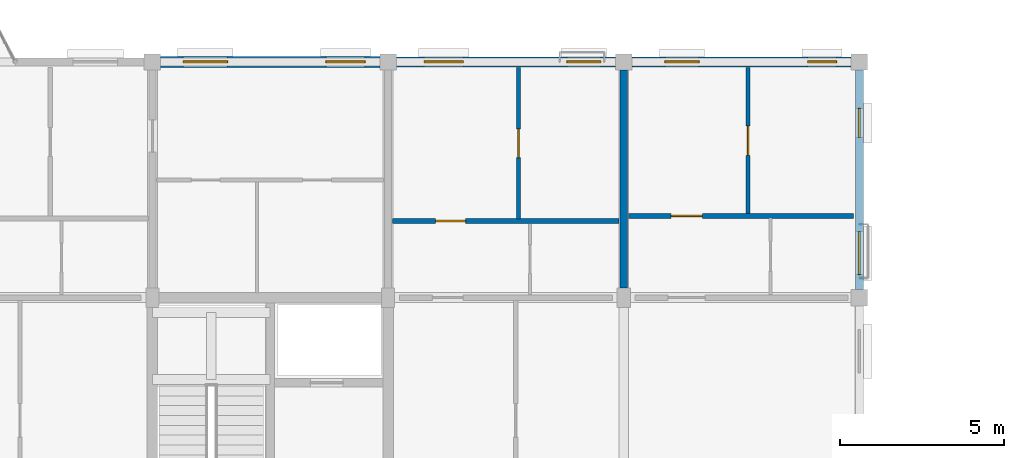
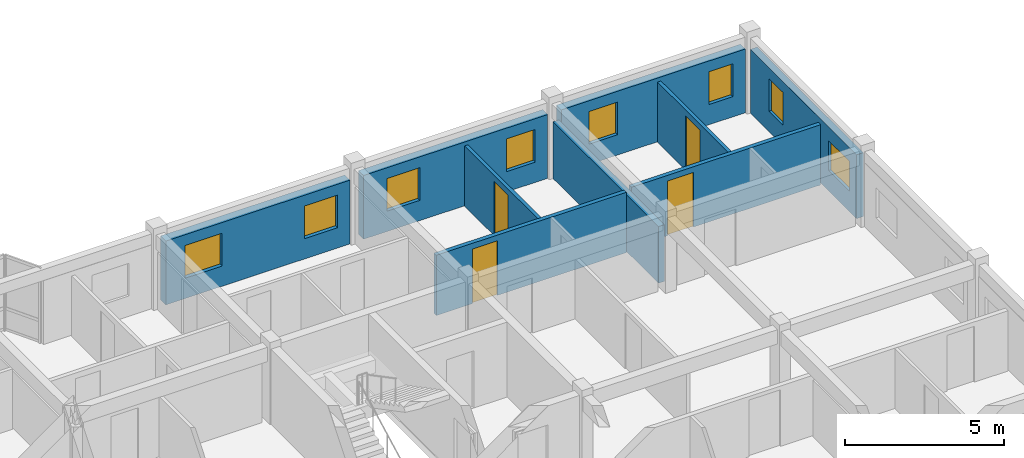
# One storey, part 31 of 38: 9 walls, 8 windows, 4 doors, 12 openings.
"""IFC4 building model written with IfcOpenShell, lengths in metres."""

from ifc_helpers import new_model, si_unit, direction, frame, frame_2d, origin, place, context, subcontext, project, spatial, rectangle, extrude, material, layer, layer_set, type_object, element, fill, save


model = new_model("IFC4")

# Units and contexts
model_context = context("Model", 3, precision=1e-05, world=origin(), true_north=direction((0.0, 1.0)))
body_context = subcontext(model_context, "Body", "Model", "MODEL_VIEW")
ifc_project = project(units=[si_unit("LENGTHUNIT", "METRE"), si_unit("AREAUNIT", "SQUARE_METRE"), si_unit("VOLUMEUNIT", "CUBIC_METRE"), si_unit("PLANEANGLEUNIT", "RADIAN"), si_unit("MASSUNIT", "GRAM", prefix="KILO"), si_unit("THERMODYNAMICTEMPERATUREUNIT", "KELVIN"), si_unit("POWERUNIT", "WATT")], contexts=[model_context])

# Site, building, storey
site_placement = place(None, origin())
site = spatial("IfcSite", under=ifc_project, at=site_placement, CompositionType="ELEMENT")
building_placement = place(site_placement, origin())
building = spatial("IfcBuilding", under=site, at=building_placement, Name="Tavuni Mirador Residences", CompositionType="ELEMENT")
storey_placement = place(building_placement, frame((0.0, 0.0, 32.85009765625)))
storey = spatial("IfcBuildingStorey", under=building, at=storey_placement, Name="L10", CompositionType="ELEMENT", Elevation=32.85009765625)

# Wall, openings, windows
ifc_material_1 = material(Name="Precast concrete C40/50", Category="concrete")
ifc_layer_1 = layer(ifc_material_1, 0.330078125, Name="Precast concrete C40/50", Category="concrete")
ifc_layer_set_1 = layer_set([ifc_layer_1], Name="Precast concrete C40/50")
wall_type_1 = type_object("IfcWallType", Name="WT-EXT-COR330", PredefinedType="SOLIDWALL", material=ifc_layer_set_1)
wall_1_placement = place(storey_placement, frame((46.550048828125, 172.800048828125, 0.0), z_axis=(0.0, 0.0, 1.0), x_axis=(-1.0, 0.0, 0.0)))
wall_1 = element("IfcWall", 1, at=wall_1_placement, inside=storey, type_object=wall_type_1, Name="EW-BLK-C-L10-N04", PredefinedType="SOLIDWALL", context=body_context, shape_type="SweptSolid", body=[
    extrude(rectangle(XDim=6.699951171875, YDim=0.330078125, at=frame_2d((3.35009765625, 0.0))), origin(), (0.0, 0.0, 1.0), 2.454833984375),
])
opening_1_placement = place(wall_1_placement, frame((0.449951171875, 0.0, 0.780029296875)))
opening_1 = element("IfcOpeningElement", 2, at=opening_1_placement, cuts=wall_1, Name="Opening WN-13", PredefinedType="OPENING", context=body_context, shape_type="SweptSolid", body=[
    extrude(rectangle(XDim=1.199951171875, YDim=1.260009765625, at=frame_2d((0.60009765625, 0.6298828125))), frame((0.0, 0.175048828125, 0.0), z_axis=(0.0, -1.0, 0.0), x_axis=(1.0, 0.0, 0.0)), (0.0, 0.0, 1.0), 0.35009765625),
])
opening_2_placement = place(wall_1_placement, frame((4.64990234375, 0.0, 0.780029296875)))
opening_2 = element("IfcOpeningElement", 3, at=opening_2_placement, cuts=wall_1, Name="Opening WN-15", PredefinedType="OPENING", context=body_context, shape_type="SweptSolid", body=[
    extrude(rectangle(XDim=1.360107421875, YDim=1.260009765625, at=frame_2d((0.68017578125, 0.6298828125))), frame((0.0, 0.175048828125, 0.0), z_axis=(0.0, -1.0, 0.0), x_axis=(1.0, 0.0, 0.0)), (0.0, 0.0, 1.0), 0.35009765625),
])
ifc_material_2 = material(Name="Laminated solar-control glass", Category="glass")
window_type_1 = type_object("IfcWindowType", Name="WNT-13", PartitioningType="SINGLE_PANEL", PredefinedType="WINDOW", material=ifc_material_2)
window_1_placement = place(opening_1_placement, origin())
window_1 = element("IfcWindow", 4, at=window_1_placement, inside=storey, type_object=window_type_1, Name="WIN-1292", OverallHeight=1.260009765625, OverallWidth=1.199951171875, PartitioningType="SINGLE_PANEL", PredefinedType="WINDOW", context=body_context, shape_type="SweptSolid", body=[
    extrude(rectangle(XDim=1.199951171875, YDim=1.260009765625, at=frame_2d((0.60009765625, 0.6298828125))), frame((0.0, 0.030029296875, 0.0), z_axis=(0.0, -1.0, 0.0), x_axis=(1.0, 0.0, 0.0)), (0.0, 0.0, 1.0), 0.06005859375),
])
fill(opening_1, window_1)
window_type_2 = type_object("IfcWindowType", Name="WNT-15", PartitioningType="SINGLE_PANEL", PredefinedType="WINDOW", material=ifc_material_2)
window_2_placement = place(opening_2_placement, origin())
window_2 = element("IfcWindow", 5, at=window_2_placement, inside=storey, type_object=window_type_2, Name="WIN-1293", OverallHeight=1.260009765625, OverallWidth=1.360107421875, PartitioningType="SINGLE_PANEL", PredefinedType="WINDOW", context=body_context, shape_type="SweptSolid", body=[
    extrude(rectangle(XDim=1.360107421875, YDim=1.260009765625, at=frame_2d((0.68017578125, 0.6298828125))), frame((0.0, 0.030029296875, 0.0), z_axis=(0.0, -1.0, 0.0), x_axis=(1.0, 0.0, 0.0)), (0.0, 0.0, 1.0), 0.06005859375),
])
fill(opening_2, window_2)

ifc_material_3 = material(Name="Sgraffito lime-rendered precast concrete C40/50", Category="concrete")
ifc_layer_2 = layer(ifc_material_3, 0.2451171875, Name="Sgraffito lime-rendered precast concrete C40/50", Category="concrete")
ifc_layer_set_2 = layer_set([ifc_layer_2], Name="Sgraffito lime-rendered precast concrete C40/50")
wall_type_2 = type_object("IfcWallType", Name="WT-EXT-PC245", PredefinedType="SOLIDWALL", material=ifc_layer_set_2)
wall_2_placement = place(storey_placement, frame((61.199951171875, 165.85009765625, 0.0), z_axis=(0.0, 0.0, 1.0), x_axis=(0.0, 1.0, 0.0)))
wall_2 = element("IfcWall", 6, at=wall_2_placement, inside=storey, type_object=wall_type_2, Name="EW-BLK-C-L10-E03", PredefinedType="SOLIDWALL", context=body_context, shape_type="SweptSolid", body=[
    extrude(rectangle(XDim=6.699951171875, YDim=0.2451171875, at=frame_2d((3.35009765625, 0.0))), origin(), (0.0, 0.0, 1.0), 2.454833984375),
])
opening_3_placement = place(wall_2_placement, frame((0.449951171875, 0.0, 0.780029296875)))
opening_3 = element("IfcOpeningElement", 7, at=opening_3_placement, cuts=wall_2, Name="Opening WN-07", PredefinedType="OPENING", context=body_context, shape_type="SweptSolid", body=[
    extrude(rectangle(XDim=1.320068359375, YDim=1.14990234375, at=frame_2d((0.66015625, 0.574951171875))), frame((0.0, 0.132568359375, 0.0), z_axis=(0.0, -1.0, 0.0), x_axis=(1.0, 0.0, 0.0)), (0.0, 0.0, 1.0), 0.26513671875),
])
opening_4_placement = place(wall_2_placement, frame((4.64990234375, 0.0, 0.780029296875)))
opening_4 = element("IfcOpeningElement", 8, at=opening_4_placement, cuts=wall_2, Name="Opening WN-09", PredefinedType="OPENING", context=body_context, shape_type="SweptSolid", body=[
    extrude(rectangle(XDim=0.8798828125, YDim=1.260009765625, at=frame_2d((0.43994140625, 0.6298828125))), frame((0.0, 0.132568359375, 0.0), z_axis=(0.0, -1.0, 0.0), x_axis=(1.0, 0.0, 0.0)), (0.0, 0.0, 1.0), 0.26513671875),
])
window_type_3 = type_object("IfcWindowType", Name="WNT-07", PartitioningType="SINGLE_PANEL", PredefinedType="WINDOW", material=ifc_material_2)
window_3_placement = place(opening_3_placement, origin())
window_3 = element("IfcWindow", 9, at=window_3_placement, inside=storey, type_object=window_type_3, Name="WIN-1286", OverallHeight=1.14990234375, OverallWidth=1.320068359375, PartitioningType="SINGLE_PANEL", PredefinedType="WINDOW", context=body_context, shape_type="SweptSolid", body=[
    extrude(rectangle(XDim=1.320068359375, YDim=1.14990234375, at=frame_2d((0.66015625, 0.574951171875))), frame((0.0, 0.030029296875, 0.0), z_axis=(0.0, -1.0, 0.0), x_axis=(1.0, 0.0, 0.0)), (0.0, 0.0, 1.0), 0.06005859375),
])
fill(opening_3, window_3)
window_type_4 = type_object("IfcWindowType", Name="WNT-09", PartitioningType="SINGLE_PANEL", PredefinedType="WINDOW", material=ifc_material_2)
window_4_placement = place(opening_4_placement, origin())
window_4 = element("IfcWindow", 10, at=window_4_placement, inside=storey, type_object=window_type_4, Name="WIN-1287", OverallHeight=1.260009765625, OverallWidth=0.8798828125, PartitioningType="SINGLE_PANEL", PredefinedType="WINDOW", context=body_context, shape_type="SweptSolid", body=[
    extrude(rectangle(XDim=0.8798828125, YDim=1.260009765625, at=frame_2d((0.43994140625, 0.6298828125))), frame((0.0, 0.030029296875, 0.0), z_axis=(0.0, -1.0, 0.0), x_axis=(1.0, 0.0, 0.0)), (0.0, 0.0, 1.0), 0.06005859375),
])
fill(opening_4, window_4)

ifc_layer_3 = layer(ifc_material_3, 0.304931640625, Name="Sgraffito lime-rendered precast concrete C40/50", Category="concrete")
ifc_layer_set_3 = layer_set([ifc_layer_3], Name="Sgraffito lime-rendered precast concrete C40/50")
wall_type_3 = type_object("IfcWallType", Name="WT-EXT-PC305", PredefinedType="SOLIDWALL", material=ifc_layer_set_3)
wall_3_placement = place(storey_placement, frame((60.949951171875, 172.800048828125, 0.0), z_axis=(0.0, 0.0, 1.0), x_axis=(-1.0, 0.0, 0.0)))
wall_3 = element("IfcWall", 11, at=wall_3_placement, inside=storey, type_object=wall_type_3, Name="EW-BLK-C-L10-N06", PredefinedType="SOLIDWALL", context=body_context, shape_type="SweptSolid", body=[
    extrude(rectangle(XDim=6.699951171875, YDim=0.304931640625, at=frame_2d((3.35009765625, 0.0))), origin(), (0.0, 0.0, 1.0), 2.454833984375),
])
opening_5_placement = place(wall_3_placement, frame((0.449951171875, 0.0, 0.780029296875)))
opening_5 = element("IfcOpeningElement", 12, at=opening_5_placement, cuts=wall_3, Name="Opening WN-09", PredefinedType="OPENING", context=body_context, shape_type="SweptSolid", body=[
    extrude(rectangle(XDim=0.8798828125, YDim=1.260009765625, at=frame_2d((0.43994140625, 0.6298828125))), frame((0.0, 0.16259765625, 0.0), z_axis=(0.0, -1.0, 0.0), x_axis=(1.0, 0.0, 0.0)), (0.0, 0.0, 1.0), 0.324951171875),
])
opening_6_placement = place(wall_3_placement, frame((4.64990234375, 0.0, 0.780029296875)))
opening_6 = element("IfcOpeningElement", 13, at=opening_6_placement, cuts=wall_3, Name="Opening WN-11", PredefinedType="OPENING", context=body_context, shape_type="SweptSolid", body=[
    extrude(rectangle(XDim=1.0400390625, YDim=1.260009765625, at=frame_2d((0.52001953125, 0.6298828125))), frame((0.0, 0.16259765625, 0.0), z_axis=(0.0, -1.0, 0.0), x_axis=(1.0, 0.0, 0.0)), (0.0, 0.0, 1.0), 0.324951171875),
])
window_5_placement = place(opening_5_placement, origin())
window_5 = element("IfcWindow", 14, at=window_5_placement, inside=storey, type_object=window_type_4, Name="WIN-1288", OverallHeight=1.260009765625, OverallWidth=0.8798828125, PartitioningType="SINGLE_PANEL", PredefinedType="WINDOW", context=body_context, shape_type="SweptSolid", body=[
    extrude(rectangle(XDim=0.8798828125, YDim=1.260009765625, at=frame_2d((0.43994140625, 0.6298828125))), frame((0.0, 0.030029296875, 0.0), z_axis=(0.0, -1.0, 0.0), x_axis=(1.0, 0.0, 0.0)), (0.0, 0.0, 1.0), 0.06005859375),
])
fill(opening_5, window_5)
window_type_5 = type_object("IfcWindowType", Name="WNT-11", PartitioningType="SINGLE_PANEL", PredefinedType="WINDOW", material=ifc_material_2)
window_6_placement = place(opening_6_placement, origin())
window_6 = element("IfcWindow", 15, at=window_6_placement, inside=storey, type_object=window_type_5, Name="WIN-1289", OverallHeight=1.260009765625, OverallWidth=1.0400390625, PartitioningType="SINGLE_PANEL", PredefinedType="WINDOW", context=body_context, shape_type="SweptSolid", body=[
    extrude(rectangle(XDim=1.0400390625, YDim=1.260009765625, at=frame_2d((0.52001953125, 0.6298828125))), frame((0.0, 0.030029296875, 0.0), z_axis=(0.0, -1.0, 0.0), x_axis=(1.0, 0.0, 0.0)), (0.0, 0.0, 1.0), 0.06005859375),
])
fill(opening_6, window_6)

ifc_layer_4 = layer(ifc_material_3, 0.31494140625, Name="Sgraffito lime-rendered precast concrete C40/50", Category="concrete")
ifc_layer_set_4 = layer_set([ifc_layer_4], Name="Sgraffito lime-rendered precast concrete C40/50")
wall_type_4 = type_object("IfcWallType", Name="WT-EXT-PC315", PredefinedType="SOLIDWALL", material=ifc_layer_set_4)
wall_4_placement = place(storey_placement, frame((53.75, 172.800048828125, 0.0), z_axis=(0.0, 0.0, 1.0), x_axis=(-1.0, 0.0, 0.0)))
wall_4 = element("IfcWall", 16, at=wall_4_placement, inside=storey, type_object=wall_type_4, Name="EW-BLK-C-L10-N05", PredefinedType="SOLIDWALL", context=body_context, shape_type="SweptSolid", body=[
    extrude(rectangle(XDim=6.699951171875, YDim=0.31494140625, at=frame_2d((3.35009765625, 0.0))), origin(), (0.0, 0.0, 1.0), 2.454833984375),
])
opening_7_placement = place(wall_4_placement, frame((0.449951171875, 0.0, 0.780029296875)))
opening_7 = element("IfcOpeningElement", 17, at=opening_7_placement, cuts=wall_4, Name="Opening WN-11", PredefinedType="OPENING", context=body_context, shape_type="SweptSolid", body=[
    extrude(rectangle(XDim=1.0400390625, YDim=1.260009765625, at=frame_2d((0.52001953125, 0.6298828125))), frame((0.0, 0.16748046875, 0.0), z_axis=(0.0, -1.0, 0.0), x_axis=(1.0, 0.0, 0.0)), (0.0, 0.0, 1.0), 0.3349609375),
])
opening_8_placement = place(wall_4_placement, frame((4.64990234375, 0.0, 0.780029296875)))
opening_8 = element("IfcOpeningElement", 18, at=opening_8_placement, cuts=wall_4, Name="Opening WN-13", PredefinedType="OPENING", context=body_context, shape_type="SweptSolid", body=[
    extrude(rectangle(XDim=1.199951171875, YDim=1.260009765625, at=frame_2d((0.60009765625, 0.6298828125))), frame((0.0, 0.16748046875, 0.0), z_axis=(0.0, -1.0, 0.0), x_axis=(1.0, 0.0, 0.0)), (0.0, 0.0, 1.0), 0.3349609375),
])
window_7_placement = place(opening_7_placement, origin())
window_7 = element("IfcWindow", 19, at=window_7_placement, inside=storey, type_object=window_type_5, Name="WIN-1290", OverallHeight=1.260009765625, OverallWidth=1.0400390625, PartitioningType="SINGLE_PANEL", PredefinedType="WINDOW", context=body_context, shape_type="SweptSolid", body=[
    extrude(rectangle(XDim=1.0400390625, YDim=1.260009765625, at=frame_2d((0.52001953125, 0.6298828125))), frame((0.0, 0.030029296875, 0.0), z_axis=(0.0, -1.0, 0.0), x_axis=(1.0, 0.0, 0.0)), (0.0, 0.0, 1.0), 0.06005859375),
])
fill(opening_7, window_7)
window_8_placement = place(opening_8_placement, origin())
window_8 = element("IfcWindow", 20, at=window_8_placement, inside=storey, type_object=window_type_1, Name="WIN-1291", OverallHeight=1.260009765625, OverallWidth=1.199951171875, PartitioningType="SINGLE_PANEL", PredefinedType="WINDOW", context=body_context, shape_type="SweptSolid", body=[
    extrude(rectangle(XDim=1.199951171875, YDim=1.260009765625, at=frame_2d((0.60009765625, 0.6298828125))), frame((0.0, 0.030029296875, 0.0), z_axis=(0.0, -1.0, 0.0), x_axis=(1.0, 0.0, 0.0)), (0.0, 0.0, 1.0), 0.06005859375),
])
fill(opening_8, window_8)

# Wall, opening, door
ifc_material_4 = material(Name="Acoustic gypsum and concrete block partition", Category="concrete")
ifc_layer_5 = layer(ifc_material_4, 0.125, Name="Acoustic gypsum and concrete block partition", Category="concrete")
ifc_layer_set_5 = layer_set([ifc_layer_5], Name="Acoustic gypsum and concrete block partition")
wall_type_5 = type_object("IfcWallType", Name="WT-PART125", PredefinedType="PARTITIONING", material=ifc_layer_set_5)
wall_5_placement = place(storey_placement, frame((50.780029296875, 168.010009765625, 0.0), z_axis=(0.0, 0.0, 1.0), x_axis=(0.0, 1.0, 0.0)))
wall_5 = element("IfcWall", 21, at=wall_5_placement, inside=storey, type_object=wall_type_5, Name="PW-BLK-C-L10-N05-OUT", PredefinedType="PARTITIONING", context=body_context, shape_type="SweptSolid", body=[
    extrude(rectangle(XDim=4.614990234375, YDim=0.125, at=frame_2d((2.3076171875, 0.0))), origin(), (0.0, 0.0, 1.0), 2.31982421875),
])
opening_9_placement = place(wall_5_placement, frame((1.867431640625, 0.0, 0.0)))
opening_9 = element("IfcOpeningElement", 22, at=opening_9_placement, cuts=wall_5, Name="Opening D-08", PredefinedType="OPENING", context=body_context, shape_type="SweptSolid", body=[
    extrude(rectangle(XDim=0.8798828125, YDim=2.080078125, at=frame_2d((0.43994140625, 1.0400390625))), frame((0.0, 0.072509765625, 0.0), z_axis=(0.0, -1.0, 0.0), x_axis=(1.0, 0.0, 0.0)), (0.0, 0.0, 1.0), 0.14501953125),
])
ifc_material_5 = material(Name="Solid core iroko timber", Category="wood")
door_type_1 = type_object("IfcDoorType", Name="DT-BED880", OperationType="NOTDEFINED", PredefinedType="DOOR", material=ifc_material_5)
door_1_placement = place(opening_9_placement, origin())
door_1 = element("IfcDoor", 23, at=door_1_placement, inside=storey, type_object=door_type_1, Name="DR-4189", OperationType="SINGLE_SWING_LEFT", OverallHeight=2.080078125, OverallWidth=0.8798828125, PredefinedType="DOOR", context=body_context, shape_type="SweptSolid", body=[
    extrude(rectangle(XDim=0.8798828125, YDim=2.080078125, at=frame_2d((0.43994140625, 1.0400390625))), frame((0.0, 0.02490234375, 0.0), z_axis=(0.0, -1.0, 0.0), x_axis=(1.0, 0.0, 0.0)), (0.0, 0.0, 1.0), 0.050048828125),
])
fill(opening_9, door_1)

wall_6_placement = place(storey_placement, frame((57.800048828125, 168.169921875, 0.0), z_axis=(0.0, 0.0, 1.0), x_axis=(0.0, 1.0, 0.0)))
wall_6 = element("IfcWall", 24, at=wall_6_placement, inside=storey, type_object=wall_type_5, Name="PW-BLK-C-L10-N06-OUT", PredefinedType="PARTITIONING", context=body_context, shape_type="SweptSolid", body=[
    extrude(rectangle(XDim=4.455078125, YDim=0.125, at=frame_2d((2.2275390625, 0.0))), origin(), (0.0, 0.0, 1.0), 2.31982421875),
])
opening_10_placement = place(wall_6_placement, frame((1.777587890625, 0.0, 0.0)))
opening_10 = element("IfcOpeningElement", 25, at=opening_10_placement, cuts=wall_6, Name="Opening D-07", PredefinedType="OPENING", context=body_context, shape_type="SweptSolid", body=[
    extrude(rectangle(XDim=0.89990234375, YDim=2.10009765625, at=frame_2d((0.449951171875, 1.050048828125))), frame((0.0, 0.072509765625, 0.0), z_axis=(0.0, -1.0, 0.0), x_axis=(1.0, 0.0, 0.0)), (0.0, 0.0, 1.0), 0.14501953125),
])
door_type_2 = type_object("IfcDoorType", Name="DT-BED900", OperationType="NOTDEFINED", PredefinedType="DOOR", material=ifc_material_5)
door_2_placement = place(opening_10_placement, origin())
door_2 = element("IfcDoor", 26, at=door_2_placement, inside=storey, type_object=door_type_2, Name="DR-4195", OperationType="SINGLE_SWING_RIGHT", OverallHeight=2.10009765625, OverallWidth=0.89990234375, PredefinedType="DOOR", context=body_context, shape_type="SweptSolid", body=[
    extrude(rectangle(XDim=0.89990234375, YDim=2.10009765625, at=frame_2d((0.449951171875, 1.050048828125))), frame((0.0, 0.02490234375, 0.0), z_axis=(0.0, -1.0, 0.0), x_axis=(1.0, 0.0, 0.0)), (0.0, 0.0, 1.0), 0.050048828125),
])
fill(opening_10, door_2)

ifc_layer_6 = layer(ifc_material_4, 0.14990234375, Name="Acoustic gypsum and concrete block partition", Category="concrete")
ifc_layer_set_6 = layer_set([ifc_layer_6], Name="Acoustic gypsum and concrete block partition")
wall_type_6 = type_object("IfcWallType", Name="WT-PART150", PredefinedType="PARTITIONING", material=ifc_layer_set_6)
wall_7_placement = place(storey_placement, frame((46.93994140625, 167.93994140625, 0.0), z_axis=(0.0, 0.0, 1.0), x_axis=(1.0, 0.0, 0.0)))
wall_7 = element("IfcWall", 27, at=wall_7_placement, inside=storey, type_object=wall_type_6, Name="PW-BLK-C-L10-N05-MID", PredefinedType="PARTITIONING", context=body_context, shape_type="SweptSolid", body=[
    extrude(rectangle(XDim=6.920166015625, YDim=0.14990234375, at=frame_2d((3.4599609375, 0.0))), origin(), (0.0, 0.0, 1.0), 2.31982421875),
])
opening_11_placement = place(wall_7_placement, frame((1.31005859375, 0.0, 0.0)))
opening_11 = element("IfcOpeningElement", 28, at=opening_11_placement, cuts=wall_7, Name="Opening D-06", PredefinedType="OPENING", context=body_context, shape_type="SweptSolid", body=[
    extrude(rectangle(XDim=0.919921875, YDim=2.10009765625, at=frame_2d((0.4599609375, 1.050048828125))), frame((0.0, 0.0849609375, 0.0), z_axis=(0.0, -1.0, 0.0), x_axis=(1.0, 0.0, 0.0)), (0.0, 0.0, 1.0), 0.169921875),
])
door_type_3 = type_object("IfcDoorType", Name="DT-INT920", OperationType="NOTDEFINED", PredefinedType="DOOR", material=ifc_material_5)
door_3_placement = place(opening_11_placement, origin())
door_3 = element("IfcDoor", 29, at=door_3_placement, inside=storey, type_object=door_type_3, Name="DR-4191", OperationType="SINGLE_SWING_RIGHT", OverallHeight=2.10009765625, OverallWidth=0.919921875, PredefinedType="DOOR", context=body_context, shape_type="SweptSolid", body=[
    extrude(rectangle(XDim=0.919921875, YDim=2.10009765625, at=frame_2d((0.4599609375, 1.050048828125))), frame((0.0, 0.02490234375, 0.0), z_axis=(0.0, -1.0, 0.0), x_axis=(1.0, 0.0, 0.0)), (0.0, 0.0, 1.0), 0.050048828125),
])
fill(opening_11, door_3)

wall_8_placement = place(storey_placement, frame((54.139892578125, 168.10009765625, 0.0), z_axis=(0.0, 0.0, 1.0), x_axis=(1.0, 0.0, 0.0)))
wall_8 = element("IfcWall", 30, at=wall_8_placement, inside=storey, type_object=wall_type_6, Name="PW-BLK-C-L10-N06-MID", PredefinedType="PARTITIONING", context=body_context, shape_type="SweptSolid", body=[
    extrude(rectangle(XDim=6.885009765625, YDim=0.14990234375, at=frame_2d((3.4423828125, 0.0))), origin(), (0.0, 0.0, 1.0), 2.31982421875),
])
opening_12_placement = place(wall_8_placement, frame((1.31005859375, 0.0, 0.0)))
opening_12 = element("IfcOpeningElement", 31, at=opening_12_placement, cuts=wall_8, Name="Opening D-05", PredefinedType="OPENING", context=body_context, shape_type="SweptSolid", body=[
    extrude(rectangle(XDim=0.949951171875, YDim=2.10009765625, at=frame_2d((0.47509765625, 1.050048828125))), frame((0.0, 0.0849609375, 0.0), z_axis=(0.0, -1.0, 0.0), x_axis=(1.0, 0.0, 0.0)), (0.0, 0.0, 1.0), 0.169921875),
])
door_type_4 = type_object("IfcDoorType", Name="DT-INT950", OperationType="NOTDEFINED", PredefinedType="DOOR", material=ifc_material_5)
door_4_placement = place(opening_12_placement, origin())
door_4 = element("IfcDoor", 32, at=door_4_placement, inside=storey, type_object=door_type_4, Name="DR-4197", OperationType="SINGLE_SWING_LEFT", OverallHeight=2.10009765625, OverallWidth=0.949951171875, PredefinedType="DOOR", context=body_context, shape_type="SweptSolid", body=[
    extrude(rectangle(XDim=0.949951171875, YDim=2.10009765625, at=frame_2d((0.47509765625, 1.050048828125))), frame((0.0, 0.02490234375, 0.0), z_axis=(0.0, -1.0, 0.0), x_axis=(1.0, 0.0, 0.0)), (0.0, 0.0, 1.0), 0.050048828125),
])
fill(opening_12, door_4)

# Wall
ifc_layer_7 = layer(ifc_material_1, 0.215087890625, Name="Precast concrete C40/50", Category="concrete")
ifc_layer_set_7 = layer_set([ifc_layer_7], Name="Precast concrete C40/50")
wall_type_7 = type_object("IfcWallType", Name="WT-XW215", PredefinedType="SOLIDWALL", material=ifc_layer_set_7)
wall_9_placement = place(storey_placement, frame((54.0, 165.89990234375, 0.0), z_axis=(0.0, 0.0, 1.0), x_axis=(0.0, 1.0, 0.0)))
element("IfcWall", 33, at=wall_9_placement, inside=storey, type_object=wall_type_7, Name="XW-BLK-C-L10-N-06", PredefinedType="SOLIDWALL", context=body_context, shape_type="SweptSolid", body=[
    extrude(rectangle(XDim=6.650146484375, YDim=0.215087890625, at=frame_2d((3.3251953125, 0.0))), origin(), (0.0, 0.0, 1.0), 2.184814453125),
])

save(model, "model.ifc")
